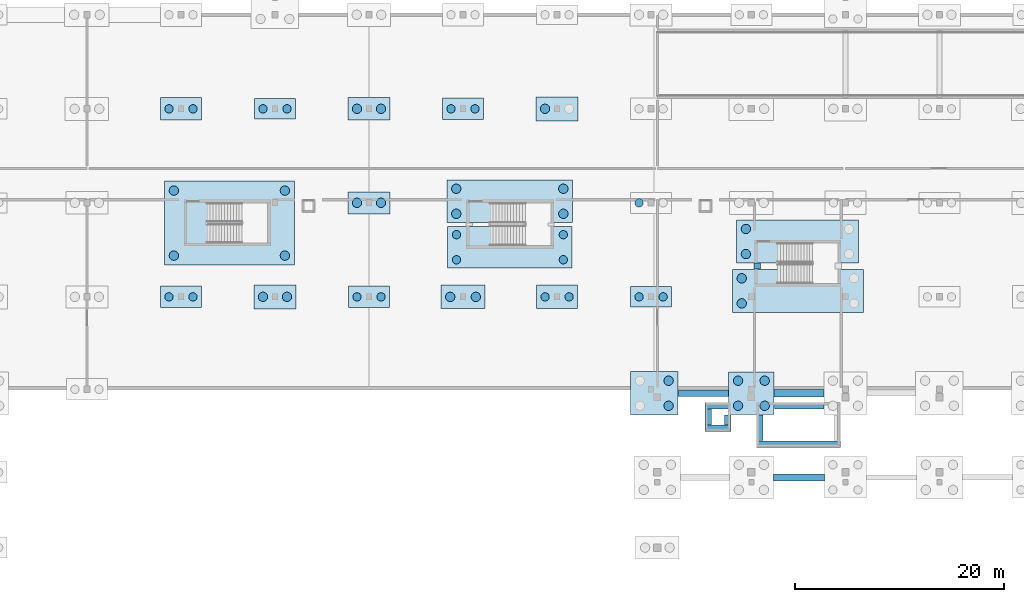
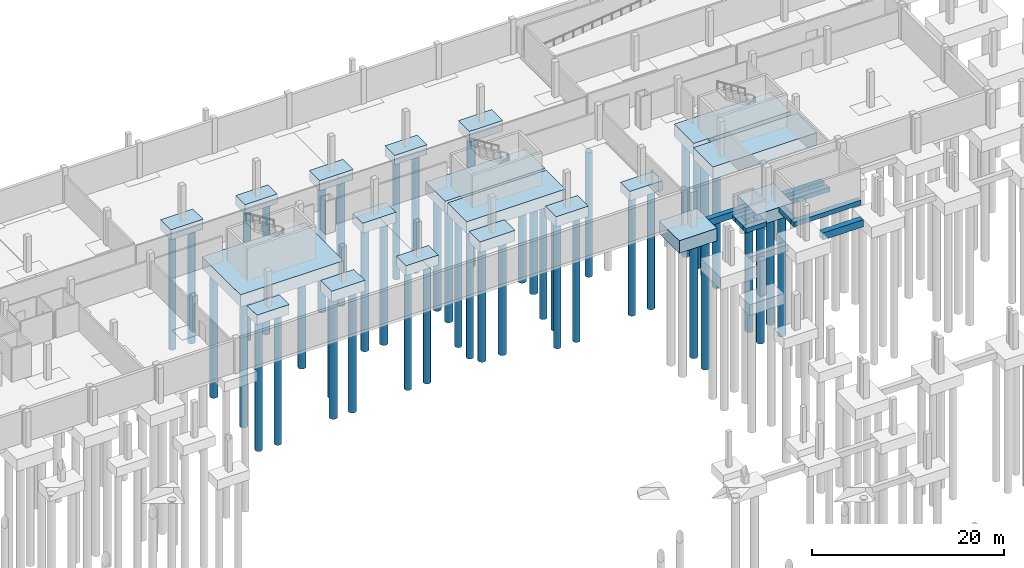
# One storey, part 8 of 36: 46 piles, 30 footings.
"""IFC4 building model written with IfcOpenShell, lengths in metres."""

import ifcopenshell
import ifcopenshell.guid

model = None  # the IFC model being written
_history = None  # IfcOwnerHistory: only IFC2X3 demands one
_inside = {}  # id of a spatial element -> (the spatial element, [elements in it])
_under = {}  # id of a project, library or spatial element -> (it, [spatial elements below it])
_declared = {}  # id of a project -> (the project, [libraries it declares])
_typed = {}  # id of a type object -> (the type object, [elements of that type])
_made_of = {}  # id of a material, layer set ... -> (it, [elements and type objects made of it])


def new_model(schema):
    """Start an empty IFC model of exactly this schema.

    Asked for "IFC4X3", IfcOpenShell would pick the latest addendum, in which some entities
    have other attributes; the version numbers below select the first issue.
    IFC2X3 requires an IfcOwnerHistory on every rooted entity: one is made here for all.
    """
    global model, _history
    if schema == "IFC4X3":
        model = ifcopenshell.file(schema_version=(4, 3, 0, 0))
    else:
        model = ifcopenshell.file(schema=schema)
    _inside.clear()
    _under.clear()
    _declared.clear()
    _typed.clear()
    _made_of.clear()
    _history = None
    if model.schema == "IFC2X3":
        org = make("IfcOrganization", Name="unknown")
        user = make(
            "IfcPersonAndOrganization",
            ThePerson=make("IfcPerson", FamilyName="unknown"),
            TheOrganization=org,
        )
        app = make(
            "IfcApplication",
            ApplicationDeveloper=org,
            Version="unknown",
            ApplicationFullName="unknown",
            ApplicationIdentifier="unknown",
        )
        _history = make(
            "IfcOwnerHistory",
            OwningUser=user,
            OwningApplication=app,
            ChangeAction="ADDED",
            CreationDate=0,
        )
    return model


def make(cls, **values):
    """One entity of the class cls with the attributes given. An attribute that is None is left unset."""
    return model.create_entity(
        cls, **{name: value for name, value in values.items() if value is not None}
    )


def rooted(cls, **values):
    """An entity with a GlobalId (a new one), such as an element, a storey or a relation."""
    return make(cls, GlobalId=ifcopenshell.guid.new(), OwnerHistory=_history, **values)


def si_unit(unit_type, name, prefix=None):
    """IfcSIUnit, for example si_unit("LENGTHUNIT", "METRE", prefix="MILLI")."""
    return make("IfcSIUnit", UnitType=unit_type, Prefix=prefix, Name=name)


def assignment(units):
    """IfcUnitAssignment: the units of a project."""
    return None if units is None else make("IfcUnitAssignment", Units=units)


def point(xyz):
    """IfcCartesianPoint."""
    return None if xyz is None else make("IfcCartesianPoint", Coordinates=xyz)


def direction(xyz):
    """IfcDirection."""
    return None if xyz is None else make("IfcDirection", DirectionRatios=xyz)


def frame(location, z_axis=None, x_axis=None):
    """IfcAxis2Placement3D, a coordinate frame: its origin and axes. An axis left out is left unset."""
    return make(
        "IfcAxis2Placement3D",
        Location=point(location),
        Axis=direction(z_axis),
        RefDirection=direction(x_axis),
    )


def frame_2d(location, x_axis=None):
    """IfcAxis2Placement2D, a coordinate frame in the plane: its origin and x axis."""
    return make(
        "IfcAxis2Placement2D", Location=point(location), RefDirection=direction(x_axis)
    )


def origin():
    """The frame at (0, 0, 0) with its axes left unset."""
    return frame((0.0, 0.0, 0.0))


def origin_2d():
    """The frame at (0, 0) in the plane with its x axis left unset."""
    return frame_2d((0.0, 0.0))


def place(relative_to, where):
    """IfcLocalPlacement: puts the frame where relative to a parent placement (None: the world)."""
    return make(
        "IfcLocalPlacement", PlacementRelTo=relative_to, RelativePlacement=where
    )


def context(
    kind, dimensions, precision=None, world=None, true_north=None, identifier=None
):
    """IfcGeometricRepresentationContext, for example the 3D "Model" context."""
    return make(
        "IfcGeometricRepresentationContext",
        ContextIdentifier=identifier,
        ContextType=kind,
        CoordinateSpaceDimension=dimensions,
        Precision=precision,
        WorldCoordinateSystem=world,
        TrueNorth=true_north,
    )


def subcontext(parent, identifier, kind, view, scale=None):
    """IfcGeometricRepresentationSubContext, for example "Body" below "Model"."""
    return make(
        "IfcGeometricRepresentationSubContext",
        ContextIdentifier=identifier,
        ContextType=kind,
        ParentContext=parent,
        TargetScale=scale,
        TargetView=view,
    )


def project(units=None, contexts=None):
    """IfcProject with its units and contexts."""
    return rooted(
        "IfcProject",
        Name="project",
        RepresentationContexts=contexts,
        UnitsInContext=assignment(units),
    )


def spatial(cls, under=None, at=None, **own):
    """A site, building, storey or space (cls), placed at a placement, below another one or the project."""
    s = rooted(cls, ObjectPlacement=at, **own)
    if under is not None:
        _under.setdefault(under.id(), (under, []))[1].append(s)
    return s


def profile(cls, at=None, kind="AREA", **sizes):
    """A parametric profile (cls). Its sizes go by their IFC names, for example OverallWidth=200.0."""
    return make(cls, ProfileType=kind, Position=at, **sizes)


def rectangle(**sizes):
    """IfcRectangleProfileDef."""
    return profile("IfcRectangleProfileDef", **sizes)


def circle(**sizes):
    """IfcCircleProfileDef."""
    return profile("IfcCircleProfileDef", **sizes)


def extrude(swept, where, along, depth):
    """IfcExtrudedAreaSolid: the profile swept, set in the frame where, extruded along a direction by depth."""
    return make(
        "IfcExtrudedAreaSolid",
        SweptArea=swept,
        Position=where,
        ExtrudedDirection=direction(along),
        Depth=depth,
    )


def shape(context_of_items, identifier, shape_type, items):
    """IfcShapeRepresentation: the items that make up one representation, for example the "Body"."""
    return make(
        "IfcShapeRepresentation",
        ContextOfItems=context_of_items,
        RepresentationIdentifier=identifier,
        RepresentationType=shape_type,
        Items=items,
    )


def material(Name=None, Category=None):
    """IfcMaterial."""
    return make("IfcMaterial", Name=Name, Category=Category)


def layer(
    of_material, thickness, ventilated=None, Name=None, Category=None, Priority=None
):
    """IfcMaterialLayer: one layer of a wall or slab, of a material (None: an air gap)."""
    return make(
        "IfcMaterialLayer",
        Material=of_material,
        LayerThickness=thickness,
        IsVentilated=ventilated,
        Name=Name,
        Category=Category,
        Priority=Priority,
    )


def layer_set(layers, Name=None):
    """IfcMaterialLayerSet."""
    return make("IfcMaterialLayerSet", MaterialLayers=layers, LayerSetName=Name)


def material_profile(
    of_material, cross_section, Name=None, Category=None, Priority=None
):
    """IfcMaterialProfile: a cross section and its material."""
    return make(
        "IfcMaterialProfile",
        Name=Name,
        Material=of_material,
        Profile=cross_section,
        Priority=Priority,
        Category=Category,
    )


def profile_set(profiles, Name=None, composite=None):
    """IfcMaterialProfileSet."""
    return make(
        "IfcMaterialProfileSet",
        Name=Name,
        MaterialProfiles=profiles,
        CompositeProfile=composite,
    )


def made_of(thing, what):
    """Note that an element or type object is made of a material, layer set ...; save() writes the relation."""
    if what is not None:
        _made_of.setdefault(what.id(), (what, []))[1].append(thing)
    return thing


def type_object(cls, material=None, **own):
    """A type object (cls), such as IfcWallType, which elements share."""
    return made_of(rooted(cls, **own), material)


def element(
    cls,
    number,
    at=None,
    inside=None,
    cuts=None,
    type_object=None,
    material=None,
    context=None,
    identifier="Body",
    shape_type=None,
    held_by="IfcProductDefinitionShape",
    body=None,
    shapes=None,
    **own,
):
    """One element of the class cls, such as IfcWall. Its Tag is "e" and its number.

    at: its placement. inside: the storey or other place that contains it. cuts: it is an
    opening in that element (IfcRelVoidsElement). A single representation is given by context,
    identifier, shape_type and body (its items); several are given by shapes. held_by: the class
    of the entity that holds the representations. save() writes the other relations.
    """
    e = rooted(cls, Tag="e%d" % number, ObjectPlacement=at, **own)
    if body is not None:
        shapes = [shape(context, identifier, shape_type, body)]
    if shapes is not None:
        e.Representation = make(held_by, Representations=shapes)
    if inside is not None:
        _inside.setdefault(inside.id(), (inside, []))[1].append(e)
    if cuts is not None:
        rooted(
            "IfcRelVoidsElement", RelatingBuildingElement=cuts, RelatedOpeningElement=e
        )
    if type_object is not None:
        _typed.setdefault(type_object.id(), (type_object, []))[1].append(e)
    return made_of(e, material)


def aggregate(whole, parts):
    """IfcRelAggregates: a whole, such as a stair, and the parts it consists of."""
    return rooted("IfcRelAggregates", RelatingObject=whole, RelatedObjects=parts)


def save(model, path):
    """Write the relations noted so far, then the file.

    IfcRelAggregates (storeys below a building ...), IfcRelContainedInSpatialStructure (elements
    in a storey), IfcRelDefinesByType, IfcRelAssociatesMaterial and IfcRelDeclares: one each for
    every whole, place, type object, material and project.
    """
    for whole, parts in _under.values():
        aggregate(whole, parts)
    for where, things in _inside.values():
        rooted(
            "IfcRelContainedInSpatialStructure",
            RelatedElements=things,
            RelatingStructure=where,
        )
    for kind, things in _typed.values():
        rooted("IfcRelDefinesByType", RelatedObjects=things, RelatingType=kind)
    for what, things in _made_of.values():
        rooted("IfcRelAssociatesMaterial", RelatedObjects=things, RelatingMaterial=what)
    for by, libraries in _declared.values():
        rooted("IfcRelDeclares", RelatingContext=by, RelatedDefinitions=libraries)
    model.write(path)


model = new_model("IFC4")

# Units and contexts
model_context = context("Model", 3, precision=1e-05, world=origin(), true_north=direction((0.0, 1.0)))
body_context = subcontext(model_context, "Body", "Model", "MODEL_VIEW")
ifc_project = project(units=[si_unit("LENGTHUNIT", "METRE"), si_unit("AREAUNIT", "SQUARE_METRE"), si_unit("VOLUMEUNIT", "CUBIC_METRE"), si_unit("PLANEANGLEUNIT", "RADIAN"), si_unit("MASSUNIT", "GRAM", prefix="KILO")], contexts=[model_context])

# Site, building, storey
site_placement = place(None, origin())
site = spatial("IfcSite", under=ifc_project, at=site_placement, CompositionType="ELEMENT")
building_placement = place(site_placement, origin())
building = spatial("IfcBuilding", under=site, at=building_placement, Name="Chiffa Square Polytechnic", CompositionType="ELEMENT")
storey_placement = place(building_placement, frame((0.0, 0.0, -4.5)))
storey = spatial("IfcBuildingStorey", under=building, at=storey_placement, Name="B1", CompositionType="ELEMENT", Elevation=-4.5)

# Footings
ifc_material = material(Name="Concrete C35/45", Category="concrete")
ifc_layer_1 = layer(ifc_material, 0.860107421875, Name="Concrete C35/45")
ifc_layer_set_1 = layer_set([ifc_layer_1], Name="Concrete C35/45")
footing_type_1 = type_object("IfcFootingType", Name="FTG-BEAM-620X860", PredefinedType="FOOTING_BEAM", material=ifc_layer_set_1)
footing_1_placement = place(storey_placement, frame((116.60009765625, 94.574951171875, -0.85986328125), z_axis=(0.0, 0.0, 1.0), x_axis=(1.0, 0.0, 0.0)))
element("IfcFooting", 1, at=footing_1_placement, inside=storey, type_object=footing_type_1, Name="Footing tie beam FB-B1-033", PredefinedType="FOOTING_BEAM", context=body_context, shape_type="SweptSolid", body=[
    extrude(rectangle(XDim=4.840087890625, YDim=0.6201171875, at=origin_2d()), origin(), (0.0, 0.0, 1.0), 0.860107421875),
])
ifc_layer_2 = layer(ifc_material, 0.909912109375, Name="Concrete C35/45")
ifc_layer_set_2 = layer_set([ifc_layer_2], Name="Concrete C35/45")
footing_type_2 = type_object("IfcFootingType", Name="FTG-BEAM-660X910", PredefinedType="FOOTING_BEAM", material=ifc_layer_set_2)
footing_2_placement = place(storey_placement, frame((125.75, 86.52490234375, -0.91015625), z_axis=(0.0, 0.0, 1.0), x_axis=(1.0, 0.0, 0.0)))
element("IfcFooting", 2, at=footing_2_placement, inside=storey, type_object=footing_type_2, Name="Footing tie beam FB-B1-035", PredefinedType="FOOTING_BEAM", context=body_context, shape_type="SweptSolid", body=[
    extrude(rectangle(XDim=4.889892578125, YDim=0.659912109375, at=origin_2d()), origin(), (0.0, 0.0, 1.0), 0.909912109375),
])
ifc_layer_3 = layer(ifc_material, 0.93505859375, Name="Concrete C35/45")
ifc_layer_set_3 = layer_set([ifc_layer_3], Name="Concrete C35/45")
footing_type_3 = type_object("IfcFootingType", Name="FTG-BEAM-680X935", PredefinedType="FOOTING_BEAM", material=ifc_layer_set_3)
footing_3_placement = place(storey_placement, frame((125.762939453125, 94.574951171875, -0.935546875), z_axis=(0.0, 0.0, 1.0), x_axis=(1.0, 0.0, 0.0)))
element("IfcFooting", 3, at=footing_3_placement, inside=storey, type_object=footing_type_3, Name="Footing tie beam FB-B1-036", PredefinedType="FOOTING_BEAM", context=body_context, shape_type="SweptSolid", body=[
    extrude(rectangle(XDim=4.764892578125, YDim=0.679931640625, at=origin_2d()), origin(), (0.0, 0.0, 1.0), 0.93505859375),
])
ifc_layer_4 = layer(ifc_material, 0.60009765625, Name="Concrete C35/45")
ifc_layer_set_4 = layer_set([ifc_layer_4], Name="Concrete C35/45")
footing_type_4 = type_object("IfcFootingType", Name="FTG-PAD-2235X620X600", PredefinedType="PAD_FOOTING", material=ifc_layer_set_4)
footing_4_placement = place(storey_placement, frame((117.886962890625, 93.39990234375, -0.60009765625), z_axis=(0.0, 0.0, 1.0), x_axis=(1.0, 0.0, 0.0)))
element("IfcFooting", 4, at=footing_4_placement, inside=storey, type_object=footing_type_4, Name="Lift pit pad footing PFG-PIT-LP-V2-N1", PredefinedType="PAD_FOOTING", context=body_context, shape_type="SweptSolid", body=[
    extrude(rectangle(XDim=2.235107421875, YDim=0.6201171875, at=origin_2d()), origin(), (0.0, 0.0, 1.0), 0.60009765625),
])
ifc_layer_5 = layer(ifc_material, 0.60009765625, Name="Concrete C35/45")
ifc_layer_set_5 = layer_set([ifc_layer_5], Name="Concrete C35/45")
footing_type_5 = type_object("IfcFootingType", Name="FTG-PAD-2460X620X600", PredefinedType="PAD_FOOTING", material=ifc_layer_set_5)
footing_5_placement = place(storey_placement, frame((118.0, 91.22998046875, -0.60009765625), z_axis=(0.0, 0.0, 1.0), x_axis=(1.0, 0.0, 0.0)))
element("IfcFooting", 5, at=footing_5_placement, inside=storey, type_object=footing_type_5, Name="Lift pit pad footing PFG-PIT-LP-V2-S1", PredefinedType="PAD_FOOTING", context=body_context, shape_type="SweptSolid", body=[
    extrude(rectangle(XDim=2.4599609375, YDim=0.6201171875, at=origin_2d()), origin(), (0.0, 0.0, 1.0), 0.60009765625),
])
ifc_layer_6 = layer(ifc_material, 0.60009765625, Name="Concrete C35/45")
ifc_layer_set_6 = layer_set([ifc_layer_6], Name="Concrete C35/45")
footing_type_6 = type_object("IfcFootingType", Name="FTG-PAD-4735X620X600", PredefinedType="PAD_FOOTING", material=ifc_layer_set_6)
footing_6_placement = place(storey_placement, frame((125.761962890625, 93.39990234375, -0.60009765625), z_axis=(0.0, 0.0, 1.0), x_axis=(1.0, 0.0, 0.0)))
element("IfcFooting", 6, at=footing_6_placement, inside=storey, type_object=footing_type_6, Name="Core pad footing PFG-CORE-CORE-V2A-N1", PredefinedType="PAD_FOOTING", context=body_context, shape_type="SweptSolid", body=[
    extrude(rectangle(XDim=4.735107421875, YDim=0.6201171875, at=origin_2d()), origin(), (0.0, 0.0, 1.0), 0.60009765625),
])
ifc_layer_7 = layer(ifc_material, 0.60009765625, Name="Concrete C35/45")
ifc_layer_set_7 = layer_set([ifc_layer_7], Name="Concrete C35/45")
footing_type_7 = type_object("IfcFootingType", Name="FTG-PAD-620X1510X600", PredefinedType="PAD_FOOTING", material=ifc_layer_set_7)
footing_7_placement = place(storey_placement, frame((117.080078125, 92.31494140625, -0.60009765625), z_axis=(0.0, 0.0, 1.0), x_axis=(1.0, 0.0, 0.0)))
element("IfcFooting", 7, at=footing_7_placement, inside=storey, type_object=footing_type_7, Name="Lift pit pad footing PFG-PIT-LP-V2-W1", PredefinedType="PAD_FOOTING", context=body_context, shape_type="SweptSolid", body=[
    extrude(rectangle(XDim=0.6201171875, YDim=1.510009765625, at=origin_2d()), origin(), (0.0, 0.0, 1.0), 0.60009765625),
])
ifc_layer_8 = layer(ifc_material, 0.60009765625, Name="Concrete C35/45")
ifc_layer_set_8 = layer_set([ifc_layer_8], Name="Concrete C35/45")
footing_type_8 = type_object("IfcFootingType", Name="FTG-PAD-620X2470X600", PredefinedType="PAD_FOOTING", material=ifc_layer_set_8)
footing_8_placement = place(storey_placement, frame((121.97998046875, 91.27001953125, -0.60009765625), z_axis=(0.0, 0.0, 1.0), x_axis=(1.0, 0.0, 0.0)))
element("IfcFooting", 8, at=footing_8_placement, inside=storey, type_object=footing_type_8, Name="Core pad footing PFG-CORE-CORE-V2A-W1", PredefinedType="PAD_FOOTING", context=body_context, shape_type="SweptSolid", body=[
    extrude(rectangle(XDim=0.6201171875, YDim=2.469970703125, at=origin_2d()), origin(), (0.0, 0.0, 1.0), 0.60009765625),
])
ifc_layer_9 = layer(ifc_material, 0.60009765625, Name="Concrete C35/45")
ifc_layer_set_9 = layer_set([ifc_layer_9], Name="Concrete C35/45")
footing_type_9 = type_object("IfcFootingType", Name="FTG-PAD-620X585X600", PredefinedType="PAD_FOOTING", material=ifc_layer_set_9)
footing_9_placement = place(storey_placement, frame((121.780029296875, 106.737060546875, -0.60009765625), z_axis=(0.0, 0.0, 1.0), x_axis=(1.0, 0.0, 0.0)))
element("IfcFooting", 9, at=footing_9_placement, inside=storey, type_object=footing_type_9, Name="Core pad footing PFG-CORE-CORE-B1E-W1", PredefinedType="PAD_FOOTING", context=body_context, shape_type="SweptSolid", body=[
    extrude(rectangle(XDim=0.6201171875, YDim=0.5849609375, at=origin_2d()), origin(), (0.0, 0.0, 1.0), 0.60009765625),
])
ifc_layer_10 = layer(ifc_material, 0.60009765625, Name="Concrete C35/45")
ifc_layer_set_10 = layer_set([ifc_layer_10], Name="Concrete C35/45")
footing_type_10 = type_object("IfcFootingType", Name="FTG-PAD-620X945X600", PredefinedType="PAD_FOOTING", material=ifc_layer_set_10)
footing_10_placement = place(storey_placement, frame((118.919921875, 92.031982421875, -0.60009765625), z_axis=(0.0, 0.0, 1.0), x_axis=(1.0, 0.0, 0.0)))
element("IfcFooting", 10, at=footing_10_placement, inside=storey, type_object=footing_type_10, Name="Lift pit pad footing PFG-PIT-LP-V2-E1", PredefinedType="PAD_FOOTING", context=body_context, shape_type="SweptSolid", body=[
    extrude(rectangle(XDim=0.6201171875, YDim=0.945068359375, at=origin_2d()), origin(), (0.0, 0.0, 1.0), 0.60009765625),
])
ifc_layer_11 = layer(ifc_material, 0.60009765625, Name="Concrete C35/45")
ifc_layer_set_11 = layer_set([ifc_layer_11], Name="Concrete C35/45")
footing_type_11 = type_object("IfcFootingType", Name="FTG-PAD-8060X620X600", PredefinedType="PAD_FOOTING", material=ifc_layer_set_11)
footing_11_placement = place(storey_placement, frame((125.699951171875, 89.705078125, -0.60009765625), z_axis=(0.0, 0.0, 1.0), x_axis=(1.0, 0.0, 0.0)))
element("IfcFooting", 11, at=footing_11_placement, inside=storey, type_object=footing_type_11, Name="Core pad footing PFG-CORE-CORE-V2A-S1", PredefinedType="PAD_FOOTING", context=body_context, shape_type="SweptSolid", body=[
    extrude(rectangle(XDim=8.06005859375, YDim=0.6201171875, at=origin_2d()), origin(), (0.0, 0.0, 1.0), 0.60009765625),
])
ifc_layer_12 = layer(ifc_material, 1.550048828125, Name="Concrete C35/45")
ifc_layer_set_12 = layer_set([ifc_layer_12], Name="Concrete C35/45")
footing_type_12 = type_object("IfcFootingType", Name="FTG-PC-11675X4100X1550", PredefinedType="PILE_CAP", material=ifc_layer_set_12)
footing_12_placement = place(storey_placement, frame((125.613037109375, 109.10009765625, -1.5498046875), z_axis=(0.0, 0.0, 1.0), x_axis=(1.0, 0.0, 0.0)))
element("IfcFooting", 12, at=footing_12_placement, inside=storey, type_object=footing_type_12, Name="Pile cap PC-B1-231", PredefinedType="PILE_CAP", context=body_context, shape_type="SweptSolid", body=[
    extrude(rectangle(XDim=11.675048828125, YDim=4.10009765625, at=origin_2d()), origin(), (0.0, 0.0, 1.0), 1.550048828125),
])
ifc_layer_13 = layer(ifc_material, 1.550048828125, Name="Concrete C35/45")
ifc_layer_set_13 = layer_set([ifc_layer_13], Name="Concrete C35/45")
footing_type_13 = type_object("IfcFootingType", Name="FTG-PC-11926X4000X1550", PredefinedType="PILE_CAP", material=ifc_layer_set_13)
footing_13_placement = place(storey_placement, frame((98.0869140625, 108.550048828125, -1.5498046875), z_axis=(0.0, 0.0, 1.0), x_axis=(1.0, 0.0, 0.0)))
element("IfcFooting", 13, at=footing_13_placement, inside=storey, type_object=footing_type_13, Name="Pile cap PC-B1-229", PredefinedType="PILE_CAP", context=body_context, shape_type="SweptSolid", body=[
    extrude(rectangle(XDim=11.926025390625, YDim=4.0, at=origin_2d()), origin(), (0.0, 0.0, 1.0), 1.550048828125),
])
ifc_layer_14 = layer(ifc_material, 1.550048828125, Name="Concrete C35/45")
ifc_layer_set_14 = layer_set([ifc_layer_14], Name="Concrete C35/45")
footing_type_14 = type_object("IfcFootingType", Name="FTG-PC-12050X4100X1550", PredefinedType="PILE_CAP", material=ifc_layer_set_14)
footing_14_placement = place(storey_placement, frame((98.074951171875, 112.949951171875, -1.5498046875), z_axis=(0.0, 0.0, 1.0), x_axis=(1.0, 0.0, 0.0)))
element("IfcFooting", 14, at=footing_14_placement, inside=storey, type_object=footing_type_14, Name="Pile cap PC-B1-230", PredefinedType="PILE_CAP", context=body_context, shape_type="SweptSolid", body=[
    extrude(rectangle(XDim=12.050048828125, YDim=4.10009765625, at=origin_2d()), origin(), (0.0, 0.0, 1.0), 1.550048828125),
])
ifc_layer_15 = layer(ifc_material, 1.550048828125, Name="Concrete C35/45")
ifc_layer_set_15 = layer_set([ifc_layer_15], Name="Concrete C35/45")
footing_type_15 = type_object("IfcFootingType", Name="FTG-PC-12426X8025X1550", PredefinedType="PILE_CAP", material=ifc_layer_set_15)
footing_15_placement = place(storey_placement, frame((71.238037109375, 110.862060546875, -1.5498046875), z_axis=(0.0, 0.0, 1.0), x_axis=(1.0, 0.0, 0.0)))
element("IfcFooting", 15, at=footing_15_placement, inside=storey, type_object=footing_type_15, Name="Pile cap PC-B1-153", PredefinedType="PILE_CAP", context=body_context, shape_type="SweptSolid", body=[
    extrude(rectangle(XDim=12.426025390625, YDim=8.02490234375, at=origin_2d()), origin(), (0.0, 0.0, 1.0), 1.550048828125),
])
ifc_layer_16 = layer(ifc_material, 1.550048828125, Name="Concrete C35/45")
ifc_layer_set_16 = layer_set([ifc_layer_16], Name="Concrete C35/45")
footing_type_16 = type_object("IfcFootingType", Name="FTG-PC-12550X4100X1550", PredefinedType="PILE_CAP", material=ifc_layer_set_16)
footing_16_placement = place(storey_placement, frame((125.64990234375, 104.375, -1.5498046875), z_axis=(0.0, 0.0, 1.0), x_axis=(1.0, 0.0, 0.0)))
element("IfcFooting", 16, at=footing_16_placement, inside=storey, type_object=footing_type_16, Name="Pile cap PC-B1-170", PredefinedType="PILE_CAP", context=body_context, shape_type="SweptSolid", body=[
    extrude(rectangle(XDim=12.550048828125, YDim=4.10009765625, at=origin_2d()), origin(), (0.0, 0.0, 1.0), 1.550048828125),
])
ifc_layer_17 = layer(ifc_material, 1.199951171875, Name="Concrete C35/45")
ifc_layer_set_17 = layer_set([ifc_layer_17], Name="Concrete C35/45")
footing_type_17 = type_object("IfcFootingType", Name="FTG-PC-3900X1950X1200", PredefinedType="PILE_CAP", material=ifc_layer_set_17)
for number, where, z_axis, x_axis, name in (
    (17, (75.60009765625, 121.800048828125, -1.2001953125), (0.0, 0.0, 1.0), (1.0, 0.0, 0.0), "Pile cap PC-B1-154"),
    (18, (111.60009765625, 103.800048828125, -1.2001953125), (0.0, 0.0, 1.0), (1.0, 0.0, 0.0), "Pile cap PC-B1-166"),
):
    element("IfcFooting", number, at=place(storey_placement, frame(where, z_axis=z_axis, x_axis=x_axis)), inside=storey, type_object=footing_type_17, Name=name, PredefinedType="PILE_CAP", context=body_context, shape_type="SweptSolid", body=[
        extrude(rectangle(XDim=3.89990234375, YDim=1.949951171875, at=origin_2d()), origin(), (0.0, 0.0, 1.0), 1.199951171875),
    ])
ifc_layer_18 = layer(ifc_material, 1.219970703125, Name="Concrete C35/45")
ifc_layer_set_18 = layer_set([ifc_layer_18], Name="Concrete C35/45")
footing_type_18 = type_object("IfcFootingType", Name="FTG-PC-3900X2050X1220", PredefinedType="PILE_CAP", material=ifc_layer_set_18)
for number, where, z_axis, x_axis, name in (
    (19, (66.60009765625, 103.800048828125, -1.22021484375), (0.0, 0.0, 1.0), (1.0, 0.0, 0.0), "Pile cap PC-B1-149"),
    (20, (93.60009765625, 121.800048828125, -1.22021484375), (0.0, 0.0, 1.0), (1.0, 0.0, 0.0), "Pile cap PC-B1-161"),
):
    element("IfcFooting", number, at=place(storey_placement, frame(where, z_axis=z_axis, x_axis=x_axis)), inside=storey, type_object=footing_type_18, Name=name, PredefinedType="PILE_CAP", context=body_context, shape_type="SweptSolid", body=[
        extrude(rectangle(XDim=3.89990234375, YDim=2.050048828125, at=origin_2d()), origin(), (0.0, 0.0, 1.0), 1.219970703125),
    ])
ifc_layer_19 = layer(ifc_material, 1.25, Name="Concrete C35/45")
ifc_layer_set_19 = layer_set([ifc_layer_19], Name="Concrete C35/45")
footing_type_19 = type_object("IfcFootingType", Name="FTG-PC-3900X2050X1250", PredefinedType="PILE_CAP", material=ifc_layer_set_19)
footing_17_placement = place(storey_placement, frame((84.60009765625, 103.800048828125, -1.25), z_axis=(0.0, 0.0, 1.0), x_axis=(1.0, 0.0, 0.0)))
element("IfcFooting", 21, at=footing_17_placement, inside=storey, type_object=footing_type_19, Name="Pile cap PC-B1-156", PredefinedType="PILE_CAP", context=body_context, shape_type="SweptSolid", body=[
    extrude(rectangle(XDim=3.89990234375, YDim=2.050048828125, at=origin_2d()), origin(), (0.0, 0.0, 1.0), 1.25),
])
ifc_layer_20 = layer(ifc_material, 1.280029296875, Name="Concrete C35/45")
ifc_layer_set_20 = layer_set([ifc_layer_20], Name="Concrete C35/45")
footing_type_20 = type_object("IfcFootingType", Name="FTG-PC-3900X2150X1280", PredefinedType="PILE_CAP", material=ifc_layer_set_20)
footing_18_placement = place(storey_placement, frame((66.60009765625, 121.800048828125, -1.27978515625), z_axis=(0.0, 0.0, 1.0), x_axis=(1.0, 0.0, 0.0)))
element("IfcFooting", 22, at=footing_18_placement, inside=storey, type_object=footing_type_20, Name="Pile cap PC-B1-150", PredefinedType="PILE_CAP", context=body_context, shape_type="SweptSolid", body=[
    extrude(rectangle(XDim=3.89990234375, YDim=2.14990234375, at=origin_2d()), origin(), (0.0, 0.0, 1.0), 1.280029296875),
])
ifc_layer_21 = layer(ifc_material, 1.320068359375, Name="Concrete C35/45")
ifc_layer_set_21 = layer_set([ifc_layer_21], Name="Concrete C35/45")
footing_type_21 = type_object("IfcFootingType", Name="FTG-PC-3900X2250X1320", PredefinedType="PILE_CAP", material=ifc_layer_set_21)
footing_19_placement = place(storey_placement, frame((102.60009765625, 103.800048828125, -1.31982421875), z_axis=(0.0, 0.0, 1.0), x_axis=(1.0, 0.0, 0.0)))
element("IfcFooting", 23, at=footing_19_placement, inside=storey, type_object=footing_type_21, Name="Pile cap PC-B1-163", PredefinedType="PILE_CAP", context=body_context, shape_type="SweptSolid", body=[
    extrude(rectangle(XDim=3.89990234375, YDim=2.25, at=origin_2d()), origin(), (0.0, 0.0, 1.0), 1.320068359375),
])
ifc_layer_22 = layer(ifc_material, 1.300048828125, Name="Concrete C35/45")
ifc_layer_set_22 = layer_set([ifc_layer_22], Name="Concrete C35/45")
footing_type_22 = type_object("IfcFootingType", Name="FTG-PC-4000X2100X1300", PredefinedType="PILE_CAP", material=ifc_layer_set_22)
footing_20_placement = place(storey_placement, frame((84.60009765625, 112.800048828125, -1.2998046875), z_axis=(0.0, 0.0, 1.0), x_axis=(1.0, 0.0, 0.0)))
element("IfcFooting", 24, at=footing_20_placement, inside=storey, type_object=footing_type_22, Name="Pile cap PC-B1-157", PredefinedType="PILE_CAP", context=body_context, shape_type="SweptSolid", body=[
    extrude(rectangle(XDim=4.0, YDim=2.10009765625, at=origin_2d()), origin(), (0.0, 0.0, 1.0), 1.300048828125),
])
ifc_layer_23 = layer(ifc_material, 1.3798828125, Name="Concrete C35/45")
ifc_layer_set_23 = layer_set([ifc_layer_23], Name="Concrete C35/45")
footing_type_23 = type_object("IfcFootingType", Name="FTG-PC-4000X2300X1380", PredefinedType="PILE_CAP", material=ifc_layer_set_23)
for number, where, z_axis, x_axis, name in (
    (25, (75.60009765625, 103.800048828125, -1.3798828125), (0.0, 0.0, 1.0), (1.0, 0.0, 0.0), "Pile cap PC-B1-152"),
    (26, (102.60009765625, 121.800048828125, -1.3798828125), (0.0, 0.0, 1.0), (1.0, 0.0, 0.0), "Pile cap PC-B1-164"),
):
    element("IfcFooting", number, at=place(storey_placement, frame(where, z_axis=z_axis, x_axis=x_axis)), inside=storey, type_object=footing_type_23, Name=name, PredefinedType="PILE_CAP", context=body_context, shape_type="SweptSolid", body=[
        extrude(rectangle(XDim=4.0, YDim=2.300048828125, at=origin_2d()), origin(), (0.0, 0.0, 1.0), 1.3798828125),
    ])
ifc_layer_24 = layer(ifc_material, 1.300048828125, Name="Concrete C35/45")
ifc_layer_set_24 = layer_set([ifc_layer_24], Name="Concrete C35/45")
footing_type_24 = type_object("IfcFootingType", Name="FTG-PC-4050X2150X1300", PredefinedType="PILE_CAP", material=ifc_layer_set_24)
footing_21_placement = place(storey_placement, frame((84.60009765625, 121.800048828125, -1.2998046875), z_axis=(0.0, 0.0, 1.0), x_axis=(1.0, 0.0, 0.0)))
element("IfcFooting", 27, at=footing_21_placement, inside=storey, type_object=footing_type_24, Name="Pile cap PC-B1-158", PredefinedType="PILE_CAP", context=body_context, shape_type="SweptSolid", body=[
    extrude(rectangle(XDim=4.050048828125, YDim=2.14990234375, at=origin_2d()), origin(), (0.0, 0.0, 1.0), 1.300048828125),
])
ifc_layer_25 = layer(ifc_material, 1.35009765625, Name="Concrete C35/45")
ifc_layer_set_25 = layer_set([ifc_layer_25], Name="Concrete C35/45")
footing_type_25 = type_object("IfcFootingType", Name="FTG-PC-4250X2250X1350", PredefinedType="PILE_CAP", material=ifc_layer_set_25)
footing_22_placement = place(storey_placement, frame((93.60009765625, 103.800048828125, -1.35009765625), z_axis=(0.0, 0.0, 1.0), x_axis=(1.0, 0.0, 0.0)))
element("IfcFooting", 28, at=footing_22_placement, inside=storey, type_object=footing_type_25, Name="Pile cap PC-B1-160", PredefinedType="PILE_CAP", context=body_context, shape_type="SweptSolid", body=[
    extrude(rectangle(XDim=4.25, YDim=2.25, at=origin_2d()), origin(), (0.0, 0.0, 1.0), 1.35009765625),
])
ifc_layer_26 = layer(ifc_material, 1.52001953125, Name="Concrete C35/45")
ifc_layer_set_26 = layer_set([ifc_layer_26], Name="Concrete C35/45")
footing_type_26 = type_object("IfcFootingType", Name="FTG-PC-4350X4100X1520", PredefinedType="PILE_CAP", material=ifc_layer_set_26)
footing_23_placement = place(storey_placement, frame((121.199951171875, 94.574951171875, -1.52001953125), z_axis=(0.0, 0.0, 1.0), x_axis=(1.0, 0.0, 0.0)))
element("IfcFooting", 29, at=footing_23_placement, inside=storey, type_object=footing_type_26, Name="Pile cap PC-B1-032", PredefinedType="PILE_CAP", context=body_context, shape_type="SweptSolid", body=[
    extrude(rectangle(XDim=4.35009765625, YDim=4.10009765625, at=origin_2d()), origin(), (0.0, 0.0, 1.0), 1.52001953125),
])
ifc_layer_27 = layer(ifc_material, 1.60009765625, Name="Concrete C35/45")
ifc_layer_set_27 = layer_set([ifc_layer_27], Name="Concrete C35/45")
footing_type_27 = type_object("IfcFootingType", Name="FTG-PC-4550X4200X1600", PredefinedType="PILE_CAP", material=ifc_layer_set_27)
footing_24_placement = place(storey_placement, frame((111.89990234375, 94.574951171875, -1.60009765625), z_axis=(0.0, 0.0, 1.0), x_axis=(1.0, 0.0, 0.0)))
element("IfcFooting", 30, at=footing_24_placement, inside=storey, type_object=footing_type_27, Name="Pile cap PC-B1-029", PredefinedType="PILE_CAP", context=body_context, shape_type="SweptSolid", body=[
    extrude(rectangle(XDim=4.550048828125, YDim=4.199951171875, at=origin_2d()), origin(), (0.0, 0.0, 1.0), 1.60009765625),
])

# Piles
ifc_material_profile_1 = material_profile(ifc_material, circle(Radius=0.39990234375, at=origin_2d()), Name="PILE D800")
ifc_profile_set_1 = profile_set([ifc_material_profile_1], Name="Concrete C35/45")
pile_type_1 = type_object("IfcPileType", Name="PILE-D800", PredefinedType="BORED", material=ifc_profile_set_1)
for number, where, z_axis, x_axis, name in (
    (31, (65.449951171875, 103.800048828125, -1.1201171875), (0.0, 0.0, -1.0), (1.0, 0.0, 0.0), "Bored pile PL-B1-0654-1038-1"),
    (32, (67.75, 103.800048828125, -1.1201171875), (0.0, 0.0, -1.0), (1.0, 0.0, 0.0), "Bored pile PL-B1-0678-1038-2"),
):
    element("IfcPile", number, at=place(storey_placement, frame(where, z_axis=z_axis, x_axis=x_axis)), inside=storey, type_object=pile_type_1, Name=name, PredefinedType="BORED", context=body_context, shape_type="SweptSolid", body=[
        extrude(circle(Radius=0.39990234375, at=origin_2d()), origin(), (0.0, 0.0, 1.0), 16.8798828125),
    ])
for number, where, z_axis, x_axis, name in (
    (33, (65.449951171875, 121.800048828125, -1.179931640625), (0.0, 0.0, -1.0), (1.0, 0.0, 0.0), "Bored pile PL-B1-0654-1218-1"),
    (34, (67.75, 121.800048828125, -1.179931640625), (0.0, 0.0, -1.0), (1.0, 0.0, 0.0), "Bored pile PL-B1-0678-1218-2"),
):
    element("IfcPile", number, at=place(storey_placement, frame(where, z_axis=z_axis, x_axis=x_axis)), inside=storey, type_object=pile_type_1, Name=name, PredefinedType="BORED", context=body_context, shape_type="SweptSolid", body=[
        extrude(circle(Radius=0.39990234375, at=origin_2d()), origin(), (0.0, 0.0, 1.0), 14.820068359375),
    ])
for number, where, z_axis, x_axis, name in (
    (35, (74.449951171875, 121.800048828125, -1.10009765625), (0.0, 0.0, -1.0), (1.0, 0.0, 0.0), "Bored pile PL-B1-0744-1218-1"),
    (36, (76.75, 121.800048828125, -1.10009765625), (0.0, 0.0, -1.0), (1.0, 0.0, 0.0), "Bored pile PL-B1-0768-1218-2"),
):
    element("IfcPile", number, at=place(storey_placement, frame(where, z_axis=z_axis, x_axis=x_axis)), inside=storey, type_object=pile_type_1, Name=name, PredefinedType="BORED", context=body_context, shape_type="SweptSolid", body=[
        extrude(circle(Radius=0.39990234375, at=origin_2d()), origin(), (0.0, 0.0, 1.0), 16.89990234375),
    ])
for number, where, z_axis, x_axis, name in (
    (37, (83.449951171875, 103.800048828125, -1.14990234375), (0.0, 0.0, -1.0), (1.0, 0.0, 0.0), "Bored pile PL-B1-0834-1038-1"),
    (38, (85.75, 103.800048828125, -1.14990234375), (0.0, 0.0, -1.0), (1.0, 0.0, 0.0), "Bored pile PL-B1-0858-1038-2"),
):
    element("IfcPile", number, at=place(storey_placement, frame(where, z_axis=z_axis, x_axis=x_axis)), inside=storey, type_object=pile_type_1, Name=name, PredefinedType="BORED", context=body_context, shape_type="SweptSolid", body=[
        extrude(circle(Radius=0.39990234375, at=origin_2d()), origin(), (0.0, 0.0, 1.0), 15.35009765625),
    ])
for number, where, z_axis, x_axis, name in (
    (39, (92.449951171875, 121.800048828125, -1.1201171875), (0.0, 0.0, -1.0), (1.0, 0.0, 0.0), "Bored pile PL-B1-0924-1218-1"),
    (40, (94.75, 121.800048828125, -1.1201171875), (0.0, 0.0, -1.0), (1.0, 0.0, 0.0), "Bored pile PL-B1-0948-1218-2"),
):
    element("IfcPile", number, at=place(storey_placement, frame(where, z_axis=z_axis, x_axis=x_axis)), inside=storey, type_object=pile_type_1, Name=name, PredefinedType="BORED", context=body_context, shape_type="SweptSolid", body=[
        extrude(circle(Radius=0.39990234375, at=origin_2d()), origin(), (0.0, 0.0, 1.0), 15.3798828125),
    ])
for number, where, z_axis, x_axis, name in (
    (41, (101.449951171875, 103.800048828125, -1.219970703125), (0.0, 0.0, -1.0), (1.0, 0.0, 0.0), "Bored pile PL-B1-1014-1038-1"),
    (42, (103.75, 103.800048828125, -1.219970703125), (0.0, 0.0, -1.0), (1.0, 0.0, 0.0), "Bored pile PL-B1-1038-1038-2"),
):
    element("IfcPile", number, at=place(storey_placement, frame(where, z_axis=z_axis, x_axis=x_axis)), inside=storey, type_object=pile_type_1, Name=name, PredefinedType="BORED", context=body_context, shape_type="SweptSolid", body=[
        extrude(circle(Radius=0.39990234375, at=origin_2d()), origin(), (0.0, 0.0, 1.0), 16.280029296875),
    ])
for number, where, z_axis, x_axis, name in (
    (43, (110.449951171875, 103.800048828125, -1.10009765625), (0.0, 0.0, -1.0), (1.0, 0.0, 0.0), "Bored pile PL-B1-1104-1038-1"),
    (44, (112.75, 103.800048828125, -1.10009765625), (0.0, 0.0, -1.0), (1.0, 0.0, 0.0), "Bored pile PL-B1-1128-1038-2"),
):
    element("IfcPile", number, at=place(storey_placement, frame(where, z_axis=z_axis, x_axis=x_axis)), inside=storey, type_object=pile_type_1, Name=name, PredefinedType="BORED", context=body_context, shape_type="SweptSolid", body=[
        extrude(circle(Radius=0.39990234375, at=origin_2d()), origin(), (0.0, 0.0, 1.0), 15.39990234375),
    ])
pile_1_placement = place(storey_placement, frame((110.449951171875, 112.800048828125, -1.14990234375), z_axis=(0.0, 0.0, -1.0), x_axis=(1.0, 0.0, 0.0)))
element("IfcPile", 45, at=pile_1_placement, inside=storey, type_object=pile_type_1, Name="Bored pile PL-B1-1104-1128-1", PredefinedType="BORED", context=body_context, shape_type="SweptSolid", body=[
    extrude(circle(Radius=0.39990234375, at=origin_2d()), origin(), (0.0, 0.0, 1.0), 15.85009765625),
])
for number, where, z_axis, x_axis, name in (
    (46, (92.97412109375, 107.35009765625, -1.449951171875), (0.0, 0.0, -1.0), (1.0, 0.0, 0.0), "Bored pile PL-B1-0930-1074-1"),
    (47, (103.199951171875, 107.35009765625, -1.449951171875), (0.0, 0.0, -1.0), (1.0, 0.0, 0.0), "Bored pile PL-B1-1032-1074-2"),
    (48, (92.97412109375, 109.75, -1.449951171875), (0.0, 0.0, -1.0), (1.0, 0.0, 0.0), "Bored pile PL-B1-0930-1098-3"),
    (49, (103.199951171875, 109.75, -1.449951171875), (0.0, 0.0, -1.0), (1.0, 0.0, 0.0), "Bored pile PL-B1-1032-1098-4"),
):
    element("IfcPile", number, at=place(storey_placement, frame(where, z_axis=z_axis, x_axis=x_axis)), inside=storey, type_object=pile_type_1, Name=name, PredefinedType="BORED", context=body_context, shape_type="SweptSolid", body=[
        extrude(circle(Radius=0.39990234375, at=origin_2d()), origin(), (0.0, 0.0, 1.0), 16.550048828125),
    ])
ifc_material_profile_2 = material_profile(ifc_material, circle(Radius=0.449951171875, at=origin_2d()), Name="PILE D900")
ifc_profile_set_2 = profile_set([ifc_material_profile_2], Name="Concrete C35/45")
pile_type_2 = type_object("IfcPileType", Name="PILE-D900", PredefinedType="BORED", material=ifc_profile_set_2)
for number, where, z_axis, x_axis, name in (
    (50, (113.27490234375, 93.375, -1.5), (0.0, 0.0, -1.0), (1.0, 0.0, 0.0), "Bored pile PL-B1-1133-0934-2"),
    (51, (113.27490234375, 95.77490234375, -1.5), (0.0, 0.0, -1.0), (1.0, 0.0, 0.0), "Bored pile PL-B1-1133-0958-4"),
):
    element("IfcPile", number, at=place(storey_placement, frame(where, z_axis=z_axis, x_axis=x_axis)), inside=storey, type_object=pile_type_2, Name=name, PredefinedType="BORED", context=body_context, shape_type="SweptSolid", body=[
        extrude(circle(Radius=0.449951171875, at=origin_2d()), origin(), (0.0, 0.0, 1.0), 16.5),
    ])
for number, where, z_axis, x_axis, name in (
    (52, (119.925048828125, 93.375, -1.419921875), (0.0, 0.0, -1.0), (1.0, 0.0, 0.0), "Bored pile PL-B1-1199-0934-1"),
    (53, (122.47509765625, 93.375, -1.419921875), (0.0, 0.0, -1.0), (1.0, 0.0, 0.0), "Bored pile PL-B1-1225-0934-2"),
    (54, (119.925048828125, 95.77490234375, -1.419921875), (0.0, 0.0, -1.0), (1.0, 0.0, 0.0), "Bored pile PL-B1-1199-0958-3"),
    (55, (122.47509765625, 95.77490234375, -1.419921875), (0.0, 0.0, -1.0), (1.0, 0.0, 0.0), "Bored pile PL-B1-1225-0958-4"),
):
    element("IfcPile", number, at=place(storey_placement, frame(where, z_axis=z_axis, x_axis=x_axis)), inside=storey, type_object=pile_type_2, Name=name, PredefinedType="BORED", context=body_context, shape_type="SweptSolid", body=[
        extrude(circle(Radius=0.449951171875, at=origin_2d()), origin(), (0.0, 0.0, 1.0), 15.580078125),
    ])
for number, where, z_axis, x_axis, name in (
    (56, (74.449951171875, 103.800048828125, -1.280029296875), (0.0, 0.0, -1.0), (1.0, 0.0, 0.0), "Bored pile PL-B1-0744-1038-1"),
    (57, (76.75, 103.800048828125, -1.280029296875), (0.0, 0.0, -1.0), (1.0, 0.0, 0.0), "Bored pile PL-B1-0768-1038-2"),
):
    element("IfcPile", number, at=place(storey_placement, frame(where, z_axis=z_axis, x_axis=x_axis)), inside=storey, type_object=pile_type_2, Name=name, PredefinedType="BORED", context=body_context, shape_type="SweptSolid", body=[
        extrude(circle(Radius=0.449951171875, at=origin_2d()), origin(), (0.0, 0.0, 1.0), 15.719970703125),
    ])
for number, where, z_axis, x_axis, name in (
    (58, (65.925048828125, 107.75, -1.449951171875), (0.0, 0.0, -1.0), (1.0, 0.0, 0.0), "Bored pile PL-B1-0659-1078-1"),
    (59, (76.551025390625, 107.75, -1.449951171875), (0.0, 0.0, -1.0), (1.0, 0.0, 0.0), "Bored pile PL-B1-0766-1078-2"),
    (60, (65.925048828125, 113.97412109375, -1.449951171875), (0.0, 0.0, -1.0), (1.0, 0.0, 0.0), "Bored pile PL-B1-0659-1140-3"),
    (61, (76.551025390625, 113.97412109375, -1.449951171875), (0.0, 0.0, -1.0), (1.0, 0.0, 0.0), "Bored pile PL-B1-0766-1140-4"),
):
    element("IfcPile", number, at=place(storey_placement, frame(where, z_axis=z_axis, x_axis=x_axis)), inside=storey, type_object=pile_type_2, Name=name, PredefinedType="BORED", context=body_context, shape_type="SweptSolid", body=[
        extrude(circle(Radius=0.449951171875, at=origin_2d()), origin(), (0.0, 0.0, 1.0), 16.050048828125),
    ])
for number, where, z_axis, x_axis, name in (
    (62, (83.449951171875, 112.800048828125, -1.199951171875), (0.0, 0.0, -1.0), (1.0, 0.0, 0.0), "Bored pile PL-B1-0834-1128-1"),
    (63, (85.75, 112.800048828125, -1.199951171875), (0.0, 0.0, -1.0), (1.0, 0.0, 0.0), "Bored pile PL-B1-0858-1128-2"),
):
    element("IfcPile", number, at=place(storey_placement, frame(where, z_axis=z_axis, x_axis=x_axis)), inside=storey, type_object=pile_type_2, Name=name, PredefinedType="BORED", context=body_context, shape_type="SweptSolid", body=[
        extrude(circle(Radius=0.449951171875, at=origin_2d()), origin(), (0.0, 0.0, 1.0), 15.800048828125),
    ])
for number, where, z_axis, x_axis, name in (
    (64, (83.449951171875, 121.800048828125, -1.199951171875), (0.0, 0.0, -1.0), (1.0, 0.0, 0.0), "Bored pile PL-B1-0834-1218-1"),
    (65, (85.75, 121.800048828125, -1.199951171875), (0.0, 0.0, -1.0), (1.0, 0.0, 0.0), "Bored pile PL-B1-0858-1218-2"),
):
    element("IfcPile", number, at=place(storey_placement, frame(where, z_axis=z_axis, x_axis=x_axis)), inside=storey, type_object=pile_type_2, Name=name, PredefinedType="BORED", context=body_context, shape_type="SweptSolid", body=[
        extrude(circle(Radius=0.449951171875, at=origin_2d()), origin(), (0.0, 0.0, 1.0), 16.300048828125),
    ])
for number, where, z_axis, x_axis, name in (
    (66, (92.375, 103.800048828125, -1.25), (0.0, 0.0, -1.0), (1.0, 0.0, 0.0), "Bored pile PL-B1-0924-1038-1"),
    (67, (94.824951171875, 103.800048828125, -1.25), (0.0, 0.0, -1.0), (1.0, 0.0, 0.0), "Bored pile PL-B1-0948-1038-2"),
):
    element("IfcPile", number, at=place(storey_placement, frame(where, z_axis=z_axis, x_axis=x_axis)), inside=storey, type_object=pile_type_2, Name=name, PredefinedType="BORED", context=body_context, shape_type="SweptSolid", body=[
        extrude(circle(Radius=0.449951171875, at=origin_2d()), origin(), (0.0, 0.0, 1.0), 14.75),
    ])
pile_2_placement = place(storey_placement, frame((101.449951171875, 121.800048828125, -1.280029296875), z_axis=(0.0, 0.0, -1.0), x_axis=(1.0, 0.0, 0.0)))
element("IfcPile", 68, at=pile_2_placement, inside=storey, type_object=pile_type_2, Name="Bored pile PL-B1-1014-1218-1", PredefinedType="BORED", context=body_context, shape_type="SweptSolid", body=[
    extrude(circle(Radius=0.449951171875, at=origin_2d()), origin(), (0.0, 0.0, 1.0), 16.719970703125),
])
for number, where, z_axis, x_axis, name in (
    (69, (120.27490234375, 103.175048828125, -1.449951171875), (0.0, 0.0, -1.0), (1.0, 0.0, 0.0), "Bored pile PL-B1-1203-1032-1"),
    (70, (120.27490234375, 105.574951171875, -1.449951171875), (0.0, 0.0, -1.0), (1.0, 0.0, 0.0), "Bored pile PL-B1-1203-1056-3"),
    (71, (92.949951171875, 111.75, -1.449951171875), (0.0, 0.0, -1.0), (1.0, 0.0, 0.0), "Bored pile PL-B1-0930-1118-1"),
    (72, (103.199951171875, 111.75, -1.449951171875), (0.0, 0.0, -1.0), (1.0, 0.0, 0.0), "Bored pile PL-B1-1032-1118-2"),
    (73, (92.949951171875, 114.14990234375, -1.449951171875), (0.0, 0.0, -1.0), (1.0, 0.0, 0.0), "Bored pile PL-B1-0930-1142-3"),
    (74, (103.199951171875, 114.14990234375, -1.449951171875), (0.0, 0.0, -1.0), (1.0, 0.0, 0.0), "Bored pile PL-B1-1032-1142-4"),
):
    element("IfcPile", number, at=place(storey_placement, frame(where, z_axis=z_axis, x_axis=x_axis)), inside=storey, type_object=pile_type_2, Name=name, PredefinedType="BORED", context=body_context, shape_type="SweptSolid", body=[
        extrude(circle(Radius=0.449951171875, at=origin_2d()), origin(), (0.0, 0.0, 1.0), 14.550048828125),
    ])
for number, where, z_axis, x_axis, name in (
    (75, (120.675048828125, 107.89990234375, -1.449951171875), (0.0, 0.0, -1.0), (1.0, 0.0, 0.0), "Bored pile PL-B1-1207-1079-1"),
    (76, (120.675048828125, 110.300048828125, -1.449951171875), (0.0, 0.0, -1.0), (1.0, 0.0, 0.0), "Bored pile PL-B1-1207-1103-3"),
):
    element("IfcPile", number, at=place(storey_placement, frame(where, z_axis=z_axis, x_axis=x_axis)), inside=storey, type_object=pile_type_2, Name=name, PredefinedType="BORED", context=body_context, shape_type="SweptSolid", body=[
        extrude(circle(Radius=0.449951171875, at=origin_2d()), origin(), (0.0, 0.0, 1.0), 15.050048828125),
    ])

save(model, "model.ifc")
